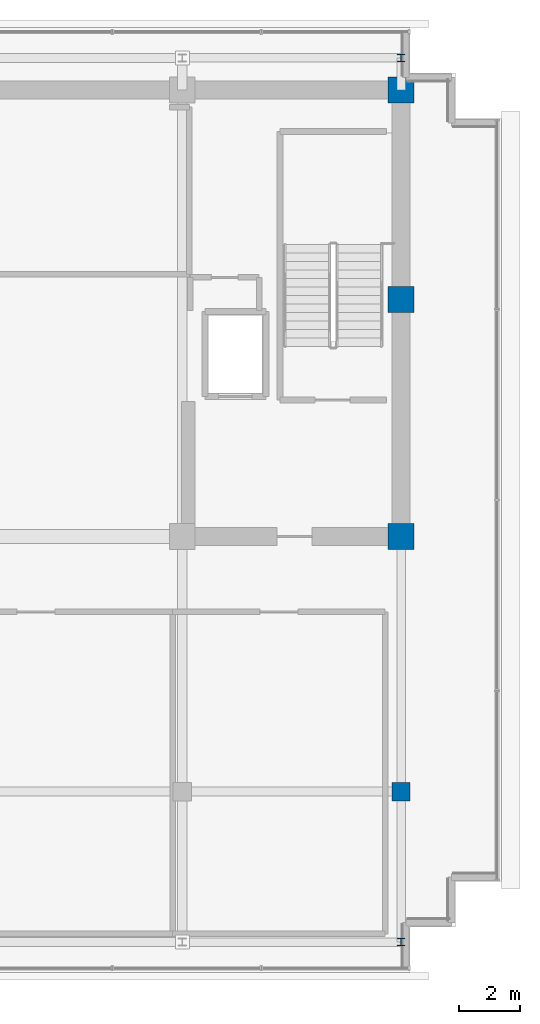
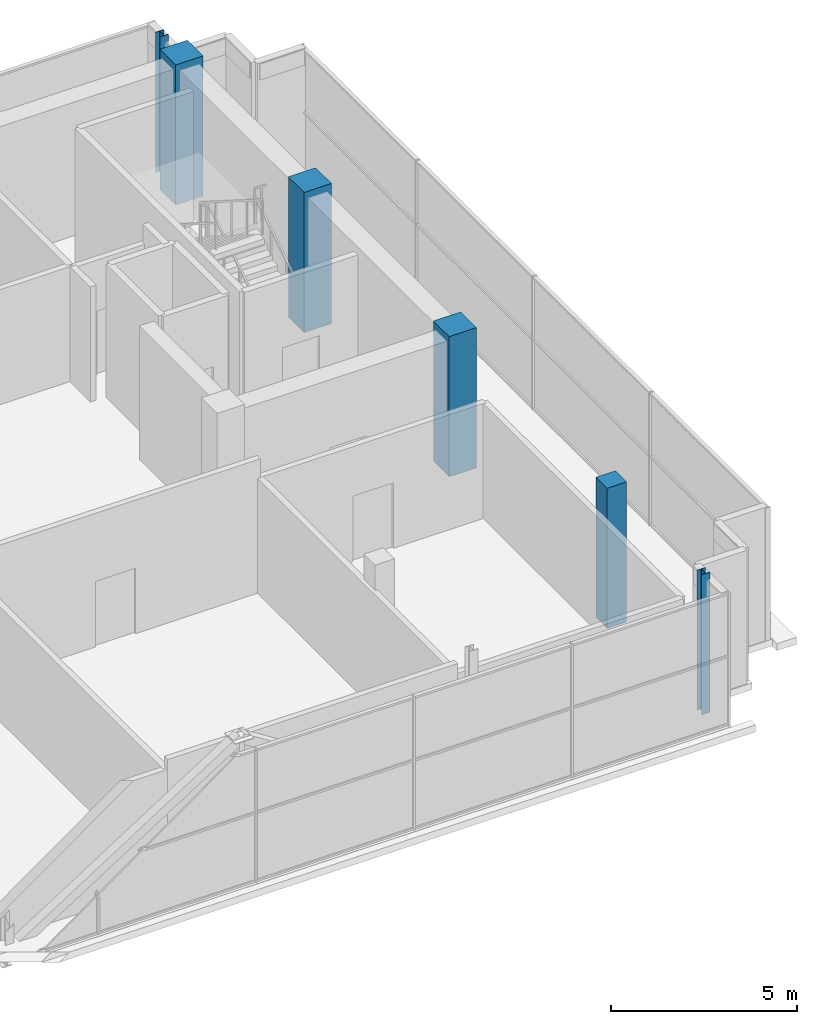
# One storey, part 2 of 27: 6 columns.
"""IFC4 building model written with IfcOpenShell, lengths in metres."""

import ifcopenshell
import ifcopenshell.guid

model = None  # the IFC model being written
_history = None  # IfcOwnerHistory: only IFC2X3 demands one
_inside = {}  # id of a spatial element -> (the spatial element, [elements in it])
_under = {}  # id of a project, library or spatial element -> (it, [spatial elements below it])
_declared = {}  # id of a project -> (the project, [libraries it declares])
_typed = {}  # id of a type object -> (the type object, [elements of that type])
_made_of = {}  # id of a material, layer set ... -> (it, [elements and type objects made of it])


def new_model(schema):
    """Start an empty IFC model of exactly this schema.

    Asked for "IFC4X3", IfcOpenShell would pick the latest addendum, in which some entities
    have other attributes; the version numbers below select the first issue.
    IFC2X3 requires an IfcOwnerHistory on every rooted entity: one is made here for all.
    """
    global model, _history
    if schema == "IFC4X3":
        model = ifcopenshell.file(schema_version=(4, 3, 0, 0))
    else:
        model = ifcopenshell.file(schema=schema)
    _inside.clear()
    _under.clear()
    _declared.clear()
    _typed.clear()
    _made_of.clear()
    _history = None
    if model.schema == "IFC2X3":
        org = make("IfcOrganization", Name="unknown")
        user = make(
            "IfcPersonAndOrganization",
            ThePerson=make("IfcPerson", FamilyName="unknown"),
            TheOrganization=org,
        )
        app = make(
            "IfcApplication",
            ApplicationDeveloper=org,
            Version="unknown",
            ApplicationFullName="unknown",
            ApplicationIdentifier="unknown",
        )
        _history = make(
            "IfcOwnerHistory",
            OwningUser=user,
            OwningApplication=app,
            ChangeAction="ADDED",
            CreationDate=0,
        )
    return model


def make(cls, **values):
    """One entity of the class cls with the attributes given. An attribute that is None is left unset."""
    return model.create_entity(
        cls, **{name: value for name, value in values.items() if value is not None}
    )


def rooted(cls, **values):
    """An entity with a GlobalId (a new one), such as an element, a storey or a relation."""
    return make(cls, GlobalId=ifcopenshell.guid.new(), OwnerHistory=_history, **values)


def si_unit(unit_type, name, prefix=None):
    """IfcSIUnit, for example si_unit("LENGTHUNIT", "METRE", prefix="MILLI")."""
    return make("IfcSIUnit", UnitType=unit_type, Prefix=prefix, Name=name)


def assignment(units):
    """IfcUnitAssignment: the units of a project."""
    return None if units is None else make("IfcUnitAssignment", Units=units)


def point(xyz):
    """IfcCartesianPoint."""
    return None if xyz is None else make("IfcCartesianPoint", Coordinates=xyz)


def direction(xyz):
    """IfcDirection."""
    return None if xyz is None else make("IfcDirection", DirectionRatios=xyz)


def frame(location, z_axis=None, x_axis=None):
    """IfcAxis2Placement3D, a coordinate frame: its origin and axes. An axis left out is left unset."""
    return make(
        "IfcAxis2Placement3D",
        Location=point(location),
        Axis=direction(z_axis),
        RefDirection=direction(x_axis),
    )


def frame_2d(location, x_axis=None):
    """IfcAxis2Placement2D, a coordinate frame in the plane: its origin and x axis."""
    return make(
        "IfcAxis2Placement2D", Location=point(location), RefDirection=direction(x_axis)
    )


def origin():
    """The frame at (0, 0, 0) with its axes left unset."""
    return frame((0.0, 0.0, 0.0))


def origin_2d():
    """The frame at (0, 0) in the plane with its x axis left unset."""
    return frame_2d((0.0, 0.0))


def place(relative_to, where):
    """IfcLocalPlacement: puts the frame where relative to a parent placement (None: the world)."""
    return make(
        "IfcLocalPlacement", PlacementRelTo=relative_to, RelativePlacement=where
    )


def context(
    kind, dimensions, precision=None, world=None, true_north=None, identifier=None
):
    """IfcGeometricRepresentationContext, for example the 3D "Model" context."""
    return make(
        "IfcGeometricRepresentationContext",
        ContextIdentifier=identifier,
        ContextType=kind,
        CoordinateSpaceDimension=dimensions,
        Precision=precision,
        WorldCoordinateSystem=world,
        TrueNorth=true_north,
    )


def subcontext(parent, identifier, kind, view, scale=None):
    """IfcGeometricRepresentationSubContext, for example "Body" below "Model"."""
    return make(
        "IfcGeometricRepresentationSubContext",
        ContextIdentifier=identifier,
        ContextType=kind,
        ParentContext=parent,
        TargetScale=scale,
        TargetView=view,
    )


def project(units=None, contexts=None):
    """IfcProject with its units and contexts."""
    return rooted(
        "IfcProject",
        Name="project",
        RepresentationContexts=contexts,
        UnitsInContext=assignment(units),
    )


def spatial(cls, under=None, at=None, **own):
    """A site, building, storey or space (cls), placed at a placement, below another one or the project."""
    s = rooted(cls, ObjectPlacement=at, **own)
    if under is not None:
        _under.setdefault(under.id(), (under, []))[1].append(s)
    return s


def profile(cls, at=None, kind="AREA", **sizes):
    """A parametric profile (cls). Its sizes go by their IFC names, for example OverallWidth=200.0."""
    return make(cls, ProfileType=kind, Position=at, **sizes)


def rectangle(**sizes):
    """IfcRectangleProfileDef."""
    return profile("IfcRectangleProfileDef", **sizes)


def i_section(**sizes):
    """IfcIShapeProfileDef."""
    return profile("IfcIShapeProfileDef", **sizes)


def extrude(swept, where, along, depth):
    """IfcExtrudedAreaSolid: the profile swept, set in the frame where, extruded along a direction by depth."""
    return make(
        "IfcExtrudedAreaSolid",
        SweptArea=swept,
        Position=where,
        ExtrudedDirection=direction(along),
        Depth=depth,
    )


def shape(context_of_items, identifier, shape_type, items):
    """IfcShapeRepresentation: the items that make up one representation, for example the "Body"."""
    return make(
        "IfcShapeRepresentation",
        ContextOfItems=context_of_items,
        RepresentationIdentifier=identifier,
        RepresentationType=shape_type,
        Items=items,
    )


def material(Name=None, Category=None):
    """IfcMaterial."""
    return make("IfcMaterial", Name=Name, Category=Category)


def material_profile(
    of_material, cross_section, Name=None, Category=None, Priority=None
):
    """IfcMaterialProfile: a cross section and its material."""
    return make(
        "IfcMaterialProfile",
        Name=Name,
        Material=of_material,
        Profile=cross_section,
        Priority=Priority,
        Category=Category,
    )


def profile_set(profiles, Name=None, composite=None):
    """IfcMaterialProfileSet."""
    return make(
        "IfcMaterialProfileSet",
        Name=Name,
        MaterialProfiles=profiles,
        CompositeProfile=composite,
    )


def made_of(thing, what):
    """Note that an element or type object is made of a material, layer set ...; save() writes the relation."""
    if what is not None:
        _made_of.setdefault(what.id(), (what, []))[1].append(thing)
    return thing


def type_object(cls, material=None, **own):
    """A type object (cls), such as IfcWallType, which elements share."""
    return made_of(rooted(cls, **own), material)


def element(
    cls,
    number,
    at=None,
    inside=None,
    cuts=None,
    type_object=None,
    material=None,
    context=None,
    identifier="Body",
    shape_type=None,
    held_by="IfcProductDefinitionShape",
    body=None,
    shapes=None,
    **own,
):
    """One element of the class cls, such as IfcWall. Its Tag is "e" and its number.

    at: its placement. inside: the storey or other place that contains it. cuts: it is an
    opening in that element (IfcRelVoidsElement). A single representation is given by context,
    identifier, shape_type and body (its items); several are given by shapes. held_by: the class
    of the entity that holds the representations. save() writes the other relations.
    """
    e = rooted(cls, Tag="e%d" % number, ObjectPlacement=at, **own)
    if body is not None:
        shapes = [shape(context, identifier, shape_type, body)]
    if shapes is not None:
        e.Representation = make(held_by, Representations=shapes)
    if inside is not None:
        _inside.setdefault(inside.id(), (inside, []))[1].append(e)
    if cuts is not None:
        rooted(
            "IfcRelVoidsElement", RelatingBuildingElement=cuts, RelatedOpeningElement=e
        )
    if type_object is not None:
        _typed.setdefault(type_object.id(), (type_object, []))[1].append(e)
    return made_of(e, material)


def aggregate(whole, parts):
    """IfcRelAggregates: a whole, such as a stair, and the parts it consists of."""
    return rooted("IfcRelAggregates", RelatingObject=whole, RelatedObjects=parts)


def save(model, path):
    """Write the relations noted so far, then the file.

    IfcRelAggregates (storeys below a building ...), IfcRelContainedInSpatialStructure (elements
    in a storey), IfcRelDefinesByType, IfcRelAssociatesMaterial and IfcRelDeclares: one each for
    every whole, place, type object, material and project.
    """
    for whole, parts in _under.values():
        aggregate(whole, parts)
    for where, things in _inside.values():
        rooted(
            "IfcRelContainedInSpatialStructure",
            RelatedElements=things,
            RelatingStructure=where,
        )
    for kind, things in _typed.values():
        rooted("IfcRelDefinesByType", RelatedObjects=things, RelatingType=kind)
    for what, things in _made_of.values():
        rooted("IfcRelAssociatesMaterial", RelatedObjects=things, RelatingMaterial=what)
    for by, libraries in _declared.values():
        rooted("IfcRelDeclares", RelatingContext=by, RelatedDefinitions=libraries)
    model.write(path)


model = new_model("IFC4")

# Units and contexts
model_context = context("Model", 3, precision=1e-05, world=origin(), true_north=direction((0.0, 1.0)))
body_context = subcontext(model_context, "Body", "Model", "MODEL_VIEW")
ifc_project = project(units=[si_unit("LENGTHUNIT", "METRE"), si_unit("AREAUNIT", "SQUARE_METRE"), si_unit("VOLUMEUNIT", "CUBIC_METRE"), si_unit("PLANEANGLEUNIT", "RADIAN"), si_unit("MASSUNIT", "GRAM", prefix="KILO")], contexts=[model_context])

# Site, building, storey
site_placement = place(None, origin())
site = spatial("IfcSite", under=ifc_project, at=site_placement, CompositionType="ELEMENT")
building_placement = place(site_placement, origin())
building = spatial("IfcBuilding", under=site, at=building_placement, Name="Zarnakvel Exchange Tower", CompositionType="ELEMENT")
storey_placement = place(building_placement, frame((0.0, 0.0, 294.60009765625)))
storey = spatial("IfcBuildingStorey", under=building, at=storey_placement, Name="Crown L82", CompositionType="ELEMENT", Elevation=294.60009765625)

# Columns
ifc_material_1 = material(Name="Concrete C50/60", Category="concrete")
ifc_material_profile_1 = material_profile(ifc_material_1, rectangle(XDim=0.85009765625, YDim=0.85009765625, at=origin_2d()))
ifc_profile_set_1 = profile_set([ifc_material_profile_1], Name="Concrete C50/60")
column_type_1 = type_object("IfcColumnType", Name="CC-03", PredefinedType="COLUMN", material=ifc_profile_set_1)
for number, where, z_axis, x_axis, name in (
    (1, (14.39990234375, -1.199951171875, 0.0), (0.0, 0.0, 1.0), (1.0, 0.0, 0.0), "Crown L82 Column C-9D (CC-03)"),
    (2, (14.39990234375, 6.60009765625, 0.0), (0.0, 0.0, 1.0), (1.0, 0.0, 0.0), "Crown L82 Column C-9E (CC-03)"),
    (3, (14.39990234375, 13.5, 0.0), (0.0, 0.0, 1.0), (1.0, 0.0, 0.0), "Crown L82 Column C-9F (CC-03)"),
):
    element("IfcColumn", number, at=place(storey_placement, frame(where, z_axis=z_axis, x_axis=x_axis)), inside=storey, type_object=column_type_1, Name=name, PredefinedType="COLUMN", context=body_context, shape_type="SweptSolid", body=[
        extrude(rectangle(XDim=0.85009765625, YDim=0.85009765625, at=origin_2d()), origin(), (0.0, 0.0, 1.0), 4.599853515625),
    ])
ifc_material_2 = material(Name="Steel S355", Category="steel")
ifc_material_profile_2 = material_profile(ifc_material_2, i_section(OverallWidth=0.260009765625, OverallDepth=0.260009765625, WebThickness=0.010009765625, FlangeThickness=0.017578125, FilletRadius=0.02392578125, at=origin_2d()))
ifc_profile_set_2 = profile_set([ifc_material_profile_2], Name="Steel S355")
column_type_2 = type_object("IfcColumnType", Name="CF-02", PredefinedType="COLUMN", material=ifc_profile_set_2)
for number, where, z_axis, x_axis, name in (
    (4, (14.39990234375, -14.550048828125, 0.0), (0.0, 0.0, 1.0), (1.0, 0.0, 0.0), "Crown L82 Column CS-9 (CF-02)"),
    (5, (14.39990234375, 14.550048828125, 0.0), (0.0, 0.0, 1.0), (1.0, 0.0, 0.0), "Crown L82 Column CN-9 (CF-02)"),
):
    element("IfcColumn", number, at=place(storey_placement, frame(where, z_axis=z_axis, x_axis=x_axis)), inside=storey, type_object=column_type_2, Name=name, PredefinedType="COLUMN", context=body_context, shape_type="SweptSolid", body=[
        extrude(i_section(OverallWidth=0.260009765625, OverallDepth=0.260009765625, WebThickness=0.010009765625, FlangeThickness=0.017578125, FilletRadius=0.02392578125, at=origin_2d()), origin(), (0.0, 0.0, 1.0), 4.599853515625),
    ])
ifc_material_profile_3 = material_profile(ifc_material_1, rectangle(XDim=0.60009765625, YDim=0.60009765625, at=origin_2d()))
ifc_profile_set_3 = profile_set([ifc_material_profile_3], Name="Concrete C50/60")
column_type_3 = type_object("IfcColumnType", Name="TC-06", PredefinedType="COLUMN", material=ifc_profile_set_3)
column_placement = place(storey_placement, frame((14.39990234375, -9.60009765625, 0.0), z_axis=(0.0, 0.0, 1.0), x_axis=(1.0, 0.0, 0.0)))
element("IfcColumn", 6, at=column_placement, inside=storey, type_object=column_type_3, Name="Crown L82 Column CC-9C (TC-06)", PredefinedType="COLUMN", context=body_context, shape_type="SweptSolid", body=[
    extrude(rectangle(XDim=0.60009765625, YDim=0.60009765625, at=origin_2d()), origin(), (0.0, 0.0, 1.0), 4.599853515625),
])

save(model, "model.ifc")
